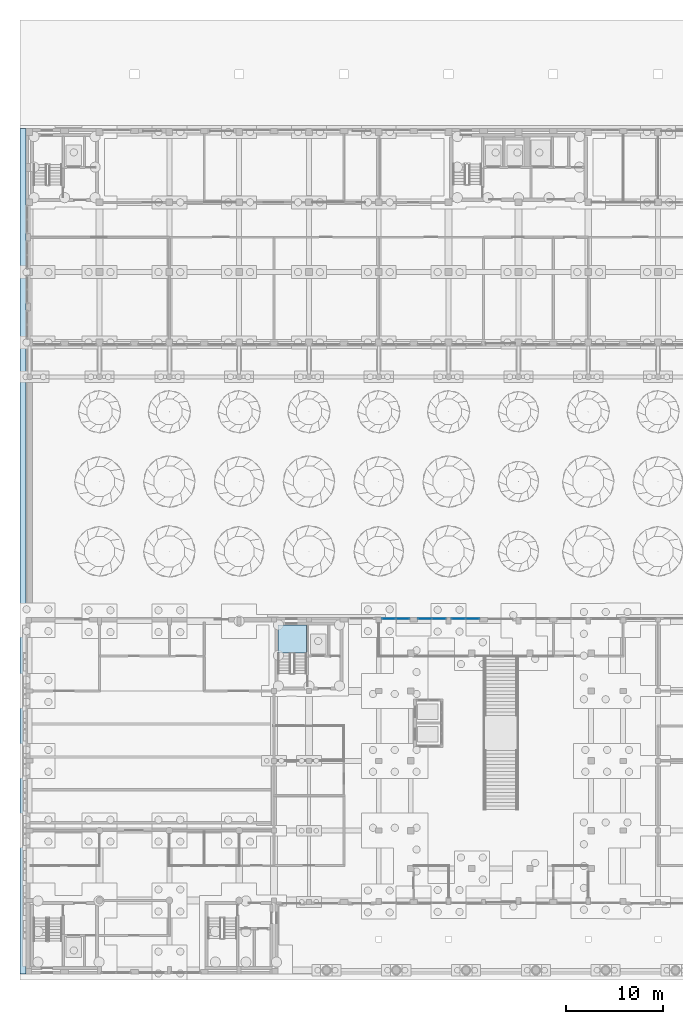
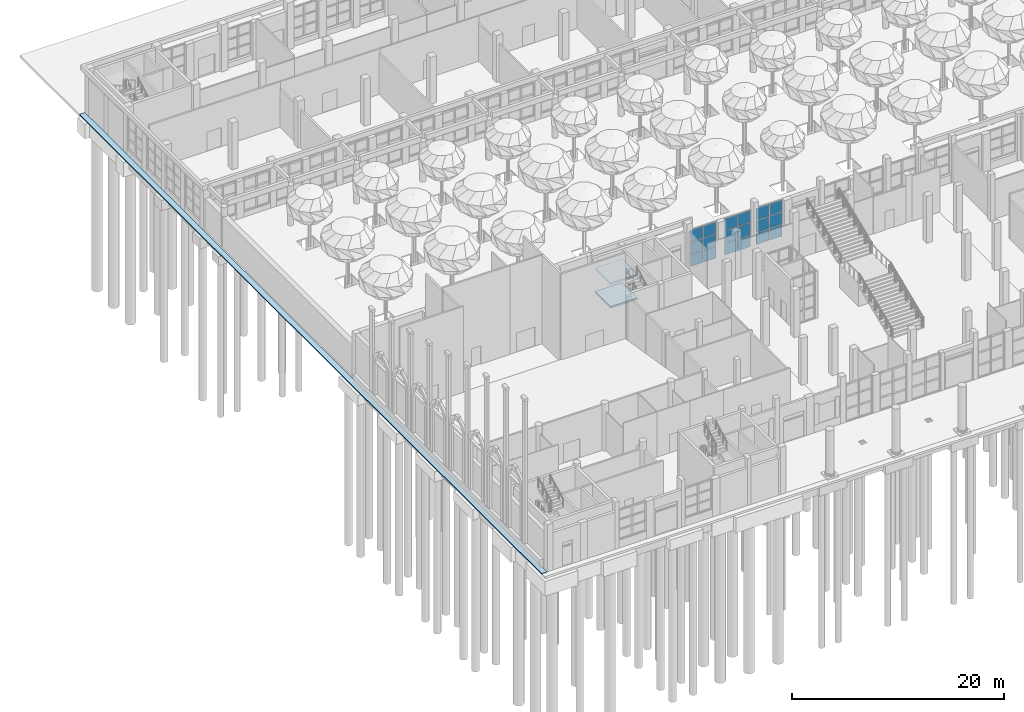
# One storey, part 32 of 80: 18 plates, 3 slabs, 4 elements without a shape of their own.
"""IFC4 building model written with IfcOpenShell, lengths in metres."""

from ifc_helpers import new_model, si_unit, direction, frame, origin, origin_2d, place, context, subcontext, project, spatial, polyline, rectangle, outline, extrude, material, layer, layer_set, type_object, element, aggregate, save


model = new_model("IFC4")

# Units and contexts
model_context = context("Model", 3, precision=1e-05, world=origin(), true_north=direction((0.0, 1.0)))
body_context = subcontext(model_context, "Body", "Model", "MODEL_VIEW")
ifc_project = project(units=[si_unit("LENGTHUNIT", "METRE"), si_unit("AREAUNIT", "SQUARE_METRE"), si_unit("VOLUMEUNIT", "CUBIC_METRE"), si_unit("PLANEANGLEUNIT", "RADIAN"), si_unit("MASSUNIT", "GRAM", prefix="KILO")], contexts=[model_context])

# Site, building, storey
site_placement = place(None, origin())
site = spatial("IfcSite", under=ifc_project, at=site_placement, CompositionType="ELEMENT")
building_placement = place(site_placement, origin())
building = spatial("IfcBuilding", under=site, at=building_placement, Name="Ussher Court Research Institute", CompositionType="ELEMENT")
storey_placement = place(building_placement, origin())
storey = spatial("IfcBuildingStorey", under=building, at=storey_placement, Name="L00", CompositionType="ELEMENT", Elevation=0.0)

# Slab
ifc_material_1 = material(Name="Precast concrete C30/37 paving", Category="concrete")
ifc_layer_1 = layer(ifc_material_1, 0.1201171875)
ifc_layer_set_1 = layer_set([ifc_layer_1], Name="Precast concrete C30/37 paving")
slab_type_1 = type_object("IfcSlabType", Name="External paving slab 120 pedestrian", PredefinedType="BASESLAB", material=ifc_layer_set_1)
slab_1_placement = place(storey_placement, frame((0.0, 0.0, -0.1201171875)))
element("IfcSlab", 1, at=slab_1_placement, inside=storey, type_object=slab_type_1, Name="West margin paving", PredefinedType="BASESLAB", context=body_context, shape_type="SweptSolid", body=[
    extrude(outline(polyline([(2.60009765625, 68.39990234375), (2.60009765625, 82.800048828125), (2.60009765625, 90.800048828125), (2.0, 90.800048828125), (2.0, 3.60009765625), (2.60009765625, 3.60009765625), (2.60009765625, 11.60009765625), (2.60009765625, 40.39990234375), (2.60009765625, 68.39990234375)])), origin(), (0.0, 0.0, 1.0), 0.1201171875),
])

# Curtain wall, plates
ifc_material_2 = material(Name="Bronze anodised aluminium with low-e glass", Category="aluminium")
ifc_layer_2 = layer(ifc_material_2, 0.1201171875)
ifc_layer_set_2 = layer_set([ifc_layer_2], Name="Bronze anodised aluminium with low-e glass")
curtain_wall_type_1 = type_object("IfcCurtainWallType", Name="Curtain wall atrium clear glazing", PredefinedType="NOTDEFINED", material=ifc_layer_set_2)
curtain_wall_1_placement = place(storey_placement, origin())
curtain_wall_1 = element("IfcCurtainWall", 2, at=curtain_wall_1_placement, inside=storey, type_object=curtain_wall_type_1, Name="Curtain wall CW2 L00", PredefinedType="NOTDEFINED")
ifc_material_3 = material(Name="Double glazed unit")
ifc_layer_3 = layer(ifc_material_3, 0.028076171875)
ifc_layer_set_3 = layer_set([ifc_layer_3], Name="Double glazed unit")
plate_type_1 = type_object("IfcPlateType", Name="Glazing panel 28 mm", PredefinedType="CURTAIN_PANEL", material=ifc_layer_set_3)
plate_1_placement = place(storey_placement, frame((40.0400390625, 40.25, 0.06005859375), z_axis=(0.0, 0.0, 1.0), x_axis=(1.0, 0.0, 0.0)))
plate_1 = element("IfcPlate", 3, at=plate_1_placement, type_object=plate_type_1, Name="CW2 panel 1.1", PredefinedType="CURTAIN_PANEL", context=body_context, shape_type="SweptSolid", body=[
    extrude(rectangle(XDim=1.360107421875, YDim=0.028076171875, at=origin_2d()), origin(), (0.0, 0.0, 1.0), 1.34326171875),
])
plate_2_placement = place(storey_placement, frame((40.0400390625, 40.25, 1.46337890625), z_axis=(0.0, 0.0, 1.0), x_axis=(1.0, 0.0, 0.0)))
plate_2 = element("IfcPlate", 4, at=plate_2_placement, type_object=plate_type_1, Name="CW2 panel 1.2", PredefinedType="CURTAIN_PANEL", context=body_context, shape_type="SweptSolid", body=[
    extrude(rectangle(XDim=1.360107421875, YDim=0.028076171875, at=origin_2d()), origin(), (0.0, 0.0, 1.0), 1.373291015625),
])
plate_3_placement = place(storey_placement, frame((40.0400390625, 40.25, 2.896728515625), z_axis=(0.0, 0.0, 1.0), x_axis=(1.0, 0.0, 0.0)))
plate_3 = element("IfcPlate", 5, at=plate_3_placement, type_object=plate_type_1, Name="CW2 panel 1.3", PredefinedType="CURTAIN_PANEL", context=body_context, shape_type="SweptSolid", body=[
    extrude(rectangle(XDim=1.360107421875, YDim=0.028076171875, at=origin_2d()), origin(), (0.0, 0.0, 1.0), 1.34326171875),
])
plate_4_placement = place(storey_placement, frame((41.4599609375, 40.25, 0.06005859375), z_axis=(0.0, 0.0, 1.0), x_axis=(1.0, 0.0, 0.0)))
plate_4 = element("IfcPlate", 6, at=plate_4_placement, type_object=plate_type_1, Name="CW2 panel 2.1", PredefinedType="CURTAIN_PANEL", context=body_context, shape_type="SweptSolid", body=[
    extrude(rectangle(XDim=1.360107421875, YDim=0.028076171875, at=origin_2d()), origin(), (0.0, 0.0, 1.0), 1.34326171875),
])
plate_5_placement = place(storey_placement, frame((41.4599609375, 40.25, 1.46337890625), z_axis=(0.0, 0.0, 1.0), x_axis=(1.0, 0.0, 0.0)))
plate_5 = element("IfcPlate", 7, at=plate_5_placement, type_object=plate_type_1, Name="CW2 panel 2.2", PredefinedType="CURTAIN_PANEL", context=body_context, shape_type="SweptSolid", body=[
    extrude(rectangle(XDim=1.360107421875, YDim=0.028076171875, at=origin_2d()), origin(), (0.0, 0.0, 1.0), 1.373291015625),
])
plate_6_placement = place(storey_placement, frame((41.4599609375, 40.25, 2.896728515625), z_axis=(0.0, 0.0, 1.0), x_axis=(1.0, 0.0, 0.0)))
plate_6 = element("IfcPlate", 8, at=plate_6_placement, type_object=plate_type_1, Name="CW2 panel 2.3", PredefinedType="CURTAIN_PANEL", context=body_context, shape_type="SweptSolid", body=[
    extrude(rectangle(XDim=1.360107421875, YDim=0.028076171875, at=origin_2d()), origin(), (0.0, 0.0, 1.0), 1.34326171875),
])
aggregate(curtain_wall_1, [plate_1, plate_2, plate_3, plate_4, plate_5, plate_6])

curtain_wall_2_placement = place(storey_placement, origin())
curtain_wall_2 = element("IfcCurtainWall", 9, at=curtain_wall_2_placement, inside=storey, type_object=curtain_wall_type_1, Name="Curtain wall CW2 L00", PredefinedType="NOTDEFINED")
plate_7_placement = place(storey_placement, frame((43.75244140625, 40.25, 0.06005859375), z_axis=(0.0, 0.0, 1.0), x_axis=(1.0, 0.0, 0.0)))
plate_7 = element("IfcPlate", 10, at=plate_7_placement, type_object=plate_type_1, Name="CW2 panel 1.1", PredefinedType="CURTAIN_PANEL", context=body_context, shape_type="SweptSolid", body=[
    extrude(rectangle(XDim=1.385009765625, YDim=0.028076171875, at=origin_2d()), origin(), (0.0, 0.0, 1.0), 1.34326171875),
])
plate_8_placement = place(storey_placement, frame((43.75244140625, 40.25, 1.46337890625), z_axis=(0.0, 0.0, 1.0), x_axis=(1.0, 0.0, 0.0)))
plate_8 = element("IfcPlate", 11, at=plate_8_placement, type_object=plate_type_1, Name="CW2 panel 1.2", PredefinedType="CURTAIN_PANEL", context=body_context, shape_type="SweptSolid", body=[
    extrude(rectangle(XDim=1.385009765625, YDim=0.028076171875, at=origin_2d()), origin(), (0.0, 0.0, 1.0), 1.373291015625),
])
plate_9_placement = place(storey_placement, frame((43.75244140625, 40.25, 2.896728515625), z_axis=(0.0, 0.0, 1.0), x_axis=(1.0, 0.0, 0.0)))
plate_9 = element("IfcPlate", 12, at=plate_9_placement, type_object=plate_type_1, Name="CW2 panel 1.3", PredefinedType="CURTAIN_PANEL", context=body_context, shape_type="SweptSolid", body=[
    extrude(rectangle(XDim=1.385009765625, YDim=0.028076171875, at=origin_2d()), origin(), (0.0, 0.0, 1.0), 1.34326171875),
])
plate_10_placement = place(storey_placement, frame((45.197509765625, 40.25, 0.06005859375), z_axis=(0.0, 0.0, 1.0), x_axis=(1.0, 0.0, 0.0)))
plate_10 = element("IfcPlate", 13, at=plate_10_placement, type_object=plate_type_1, Name="CW2 panel 2.1", PredefinedType="CURTAIN_PANEL", context=body_context, shape_type="SweptSolid", body=[
    extrude(rectangle(XDim=1.385009765625, YDim=0.028076171875, at=origin_2d()), origin(), (0.0, 0.0, 1.0), 1.34326171875),
])
plate_11_placement = place(storey_placement, frame((45.197509765625, 40.25, 1.46337890625), z_axis=(0.0, 0.0, 1.0), x_axis=(1.0, 0.0, 0.0)))
plate_11 = element("IfcPlate", 14, at=plate_11_placement, type_object=plate_type_1, Name="CW2 panel 2.2", PredefinedType="CURTAIN_PANEL", context=body_context, shape_type="SweptSolid", body=[
    extrude(rectangle(XDim=1.385009765625, YDim=0.028076171875, at=origin_2d()), origin(), (0.0, 0.0, 1.0), 1.373291015625),
])
plate_12_placement = place(storey_placement, frame((45.197509765625, 40.25, 2.896728515625), z_axis=(0.0, 0.0, 1.0), x_axis=(1.0, 0.0, 0.0)))
plate_12 = element("IfcPlate", 15, at=plate_12_placement, type_object=plate_type_1, Name="CW2 panel 2.3", PredefinedType="CURTAIN_PANEL", context=body_context, shape_type="SweptSolid", body=[
    extrude(rectangle(XDim=1.385009765625, YDim=0.028076171875, at=origin_2d()), origin(), (0.0, 0.0, 1.0), 1.34326171875),
])
aggregate(curtain_wall_2, [plate_7, plate_8, plate_9, plate_10, plate_11, plate_12])

# Stair, slabs
ifc_material_4 = material(Name="Concrete C35/45", Category="concrete")
stair_type = type_object("IfcStairType", Name="Core stair 32 risers 169 mm x 300 going 1300 wide", PredefinedType="HALF_TURN_STAIR", material=ifc_material_4)
stair_placement = place(storey_placement, origin())
stair = element("IfcStair", 16, at=stair_placement, inside=storey, type_object=stair_type, Name="L00 Stair W1", PredefinedType="HALF_TURN_STAIR")
ifc_material_5 = material(Name="Concrete C35/45", Category="concrete")
ifc_layer_4 = layer(ifc_material_5, 0.199951171875)
ifc_layer_set_4 = layer_set([ifc_layer_4], Name="Concrete C35/45")
slab_type_2 = type_object("IfcSlabType", Name="Stair landing 200 RC", PredefinedType="LANDING", material=ifc_layer_set_4)
slab_2_placement = place(storey_placement, frame((0.0, 0.0, 1.14990234375)))
slab_2 = element("IfcSlab", 17, at=slab_2_placement, type_object=slab_type_2, Name="W1 landing 1", PredefinedType="LANDING", context=body_context, shape_type="SweptSolid", body=[
    extrude(outline(polyline([(31.550048828125, 36.699951171875), (31.550048828125, 39.60009765625), (28.60009765625, 39.60009765625), (28.60009765625, 36.699951171875), (31.550048828125, 36.699951171875)])), origin(), (0.0, 0.0, 1.0), 0.2001953125),
])
slab_3_placement = place(storey_placement, frame((0.0, 0.0, 3.85009765625)))
slab_3 = element("IfcSlab", 18, at=slab_3_placement, type_object=slab_type_2, Name="W1 landing 3", PredefinedType="LANDING", context=body_context, shape_type="SweptSolid", body=[
    extrude(outline(polyline([(31.550048828125, 36.699951171875), (31.550048828125, 39.60009765625), (28.60009765625, 39.60009765625), (28.60009765625, 36.699951171875), (31.550048828125, 36.699951171875)])), origin(), (0.0, 0.0, 1.0), 0.199951171875),
])
aggregate(stair, [slab_2, slab_3])

# Curtain wall, plates
ifc_material_6 = material(Name="Bronze anodised aluminium with toughened glass", Category="aluminium")
ifc_layer_5 = layer(ifc_material_6, 0.10009765625)
ifc_layer_set_5 = layer_set([ifc_layer_5], Name="Bronze anodised aluminium with toughened glass")
curtain_wall_type_2 = type_object("IfcCurtainWallType", Name="Curtain wall entrance sidelight screen", PredefinedType="NOTDEFINED", material=ifc_layer_set_5)
curtain_wall_3_placement = place(storey_placement, origin())
curtain_wall_3 = element("IfcCurtainWall", 19, at=curtain_wall_3_placement, inside=storey, type_object=curtain_wall_type_2, Name="Curtain wall CW10 L00", PredefinedType="NOTDEFINED")
ifc_material_7 = material(Name="Toughened glass", Category="glass")
ifc_layer_6 = layer(ifc_material_7, 0.011962890625)
ifc_layer_set_6 = layer_set([ifc_layer_6], Name="Toughened glass")
plate_type_2 = type_object("IfcPlateType", Name="Toughened glass panel 12 mm", PredefinedType="CURTAIN_PANEL", material=ifc_layer_set_6)
plate_13_placement = place(storey_placement, frame((47.202392578125, 40.25, 0.06005859375), z_axis=(0.0, 0.0, 1.0), x_axis=(1.0, 0.0, 0.0)))
plate_13 = element("IfcPlate", 20, at=plate_13_placement, type_object=plate_type_2, Name="CW10 panel 1.1", PredefinedType="CURTAIN_PANEL", context=body_context, shape_type="SweptSolid", body=[
    extrude(rectangle(XDim=1.385009765625, YDim=0.011962890625, at=origin_2d()), origin(), (0.0, 0.0, 1.0), 1.34326171875),
])
plate_14_placement = place(storey_placement, frame((47.202392578125, 40.25, 1.46337890625), z_axis=(0.0, 0.0, 1.0), x_axis=(1.0, 0.0, 0.0)))
plate_14 = element("IfcPlate", 21, at=plate_14_placement, type_object=plate_type_2, Name="CW10 panel 1.2", PredefinedType="CURTAIN_PANEL", context=body_context, shape_type="SweptSolid", body=[
    extrude(rectangle(XDim=1.385009765625, YDim=0.011962890625, at=origin_2d()), origin(), (0.0, 0.0, 1.0), 1.373291015625),
])
plate_15_placement = place(storey_placement, frame((47.202392578125, 40.25, 2.896728515625), z_axis=(0.0, 0.0, 1.0), x_axis=(1.0, 0.0, 0.0)))
plate_15 = element("IfcPlate", 22, at=plate_15_placement, type_object=plate_type_2, Name="CW10 panel 1.3", PredefinedType="CURTAIN_PANEL", context=body_context, shape_type="SweptSolid", body=[
    extrude(rectangle(XDim=1.385009765625, YDim=0.011962890625, at=origin_2d()), origin(), (0.0, 0.0, 1.0), 1.34326171875),
])
plate_16_placement = place(storey_placement, frame((48.6474609375, 40.25, 0.06005859375), z_axis=(0.0, 0.0, 1.0), x_axis=(1.0, 0.0, 0.0)))
plate_16 = element("IfcPlate", 23, at=plate_16_placement, type_object=plate_type_2, Name="CW10 panel 2.1", PredefinedType="CURTAIN_PANEL", context=body_context, shape_type="SweptSolid", body=[
    extrude(rectangle(XDim=1.385009765625, YDim=0.011962890625, at=origin_2d()), origin(), (0.0, 0.0, 1.0), 1.34326171875),
])
plate_17_placement = place(storey_placement, frame((48.6474609375, 40.25, 1.46337890625), z_axis=(0.0, 0.0, 1.0), x_axis=(1.0, 0.0, 0.0)))
plate_17 = element("IfcPlate", 24, at=plate_17_placement, type_object=plate_type_2, Name="CW10 panel 2.2", PredefinedType="CURTAIN_PANEL", context=body_context, shape_type="SweptSolid", body=[
    extrude(rectangle(XDim=1.385009765625, YDim=0.011962890625, at=origin_2d()), origin(), (0.0, 0.0, 1.0), 1.373291015625),
])
plate_18_placement = place(storey_placement, frame((48.6474609375, 40.25, 2.896728515625), z_axis=(0.0, 0.0, 1.0), x_axis=(1.0, 0.0, 0.0)))
plate_18 = element("IfcPlate", 25, at=plate_18_placement, type_object=plate_type_2, Name="CW10 panel 2.3", PredefinedType="CURTAIN_PANEL", context=body_context, shape_type="SweptSolid", body=[
    extrude(rectangle(XDim=1.385009765625, YDim=0.011962890625, at=origin_2d()), origin(), (0.0, 0.0, 1.0), 1.34326171875),
])
aggregate(curtain_wall_3, [plate_13, plate_14, plate_15, plate_16, plate_17, plate_18])

save(model, "model.ifc")
